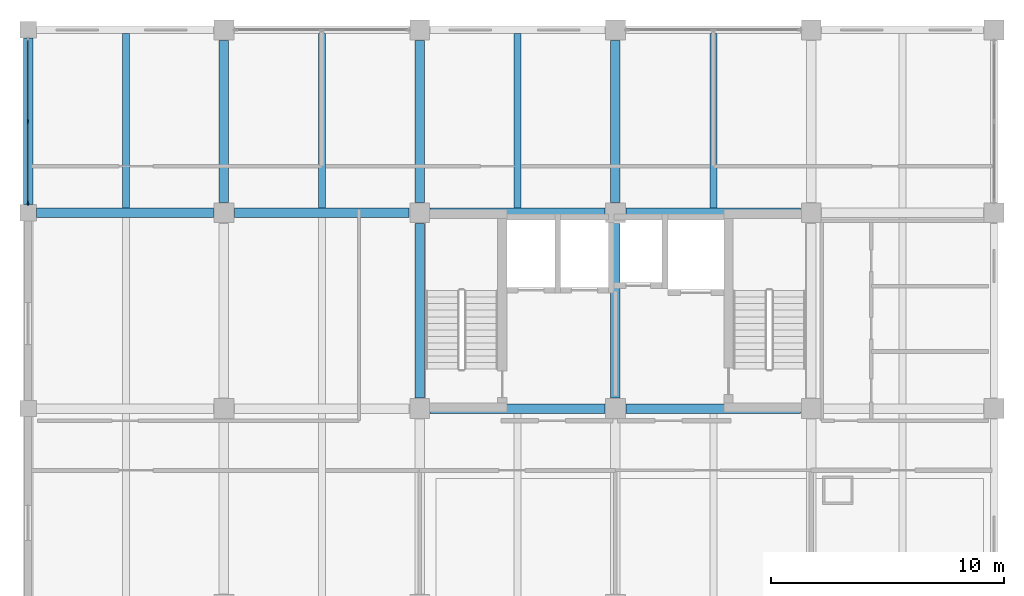
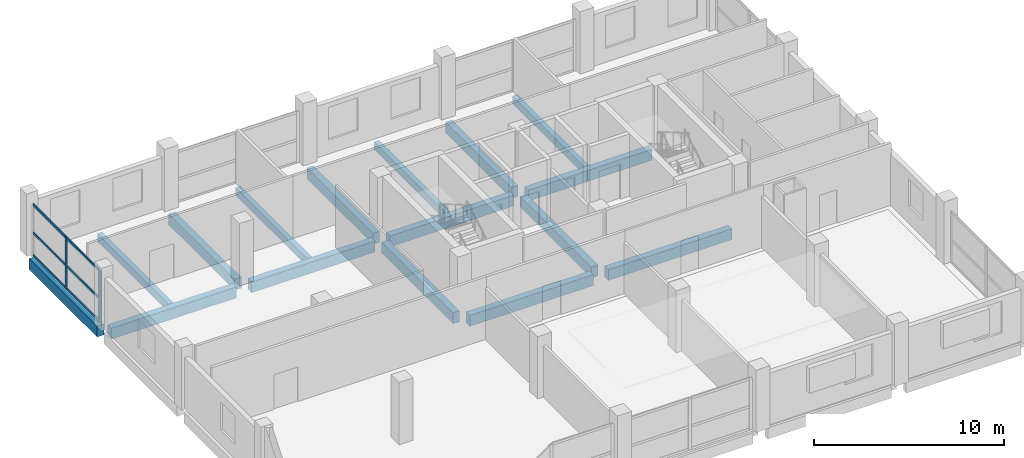
# One storey, part 3 of 11: 16 beams, 8 members, 1 element without a shape of its own.
"""IFC4 building model written with IfcOpenShell, lengths in metres."""

import ifcopenshell
import ifcopenshell.guid

model = None  # the IFC model being written
_history = None  # IfcOwnerHistory: only IFC2X3 demands one
_inside = {}  # id of a spatial element -> (the spatial element, [elements in it])
_under = {}  # id of a project, library or spatial element -> (it, [spatial elements below it])
_declared = {}  # id of a project -> (the project, [libraries it declares])
_typed = {}  # id of a type object -> (the type object, [elements of that type])
_made_of = {}  # id of a material, layer set ... -> (it, [elements and type objects made of it])


def new_model(schema):
    """Start an empty IFC model of exactly this schema.

    Asked for "IFC4X3", IfcOpenShell would pick the latest addendum, in which some entities
    have other attributes; the version numbers below select the first issue.
    IFC2X3 requires an IfcOwnerHistory on every rooted entity: one is made here for all.
    """
    global model, _history
    if schema == "IFC4X3":
        model = ifcopenshell.file(schema_version=(4, 3, 0, 0))
    else:
        model = ifcopenshell.file(schema=schema)
    _inside.clear()
    _under.clear()
    _declared.clear()
    _typed.clear()
    _made_of.clear()
    _history = None
    if model.schema == "IFC2X3":
        org = make("IfcOrganization", Name="unknown")
        user = make(
            "IfcPersonAndOrganization",
            ThePerson=make("IfcPerson", FamilyName="unknown"),
            TheOrganization=org,
        )
        app = make(
            "IfcApplication",
            ApplicationDeveloper=org,
            Version="unknown",
            ApplicationFullName="unknown",
            ApplicationIdentifier="unknown",
        )
        _history = make(
            "IfcOwnerHistory",
            OwningUser=user,
            OwningApplication=app,
            ChangeAction="ADDED",
            CreationDate=0,
        )
    return model


def make(cls, **values):
    """One entity of the class cls with the attributes given. An attribute that is None is left unset."""
    return model.create_entity(
        cls, **{name: value for name, value in values.items() if value is not None}
    )


def rooted(cls, **values):
    """An entity with a GlobalId (a new one), such as an element, a storey or a relation."""
    return make(cls, GlobalId=ifcopenshell.guid.new(), OwnerHistory=_history, **values)


def si_unit(unit_type, name, prefix=None):
    """IfcSIUnit, for example si_unit("LENGTHUNIT", "METRE", prefix="MILLI")."""
    return make("IfcSIUnit", UnitType=unit_type, Prefix=prefix, Name=name)


def assignment(units):
    """IfcUnitAssignment: the units of a project."""
    return None if units is None else make("IfcUnitAssignment", Units=units)


def point(xyz):
    """IfcCartesianPoint."""
    return None if xyz is None else make("IfcCartesianPoint", Coordinates=xyz)


def direction(xyz):
    """IfcDirection."""
    return None if xyz is None else make("IfcDirection", DirectionRatios=xyz)


def frame(location, z_axis=None, x_axis=None):
    """IfcAxis2Placement3D, a coordinate frame: its origin and axes. An axis left out is left unset."""
    return make(
        "IfcAxis2Placement3D",
        Location=point(location),
        Axis=direction(z_axis),
        RefDirection=direction(x_axis),
    )


def frame_2d(location, x_axis=None):
    """IfcAxis2Placement2D, a coordinate frame in the plane: its origin and x axis."""
    return make(
        "IfcAxis2Placement2D", Location=point(location), RefDirection=direction(x_axis)
    )


def origin():
    """The frame at (0, 0, 0) with its axes left unset."""
    return frame((0.0, 0.0, 0.0))


def origin_2d():
    """The frame at (0, 0) in the plane with its x axis left unset."""
    return frame_2d((0.0, 0.0))


def place(relative_to, where):
    """IfcLocalPlacement: puts the frame where relative to a parent placement (None: the world)."""
    return make(
        "IfcLocalPlacement", PlacementRelTo=relative_to, RelativePlacement=where
    )


def context(
    kind, dimensions, precision=None, world=None, true_north=None, identifier=None
):
    """IfcGeometricRepresentationContext, for example the 3D "Model" context."""
    return make(
        "IfcGeometricRepresentationContext",
        ContextIdentifier=identifier,
        ContextType=kind,
        CoordinateSpaceDimension=dimensions,
        Precision=precision,
        WorldCoordinateSystem=world,
        TrueNorth=true_north,
    )


def subcontext(parent, identifier, kind, view, scale=None):
    """IfcGeometricRepresentationSubContext, for example "Body" below "Model"."""
    return make(
        "IfcGeometricRepresentationSubContext",
        ContextIdentifier=identifier,
        ContextType=kind,
        ParentContext=parent,
        TargetScale=scale,
        TargetView=view,
    )


def project(units=None, contexts=None):
    """IfcProject with its units and contexts."""
    return rooted(
        "IfcProject",
        Name="project",
        RepresentationContexts=contexts,
        UnitsInContext=assignment(units),
    )


def spatial(cls, under=None, at=None, **own):
    """A site, building, storey or space (cls), placed at a placement, below another one or the project."""
    s = rooted(cls, ObjectPlacement=at, **own)
    if under is not None:
        _under.setdefault(under.id(), (under, []))[1].append(s)
    return s


def profile(cls, at=None, kind="AREA", **sizes):
    """A parametric profile (cls). Its sizes go by their IFC names, for example OverallWidth=200.0."""
    return make(cls, ProfileType=kind, Position=at, **sizes)


def rectangle(**sizes):
    """IfcRectangleProfileDef."""
    return profile("IfcRectangleProfileDef", **sizes)


def extrude(swept, where, along, depth):
    """IfcExtrudedAreaSolid: the profile swept, set in the frame where, extruded along a direction by depth."""
    return make(
        "IfcExtrudedAreaSolid",
        SweptArea=swept,
        Position=where,
        ExtrudedDirection=direction(along),
        Depth=depth,
    )


def shape(context_of_items, identifier, shape_type, items):
    """IfcShapeRepresentation: the items that make up one representation, for example the "Body"."""
    return make(
        "IfcShapeRepresentation",
        ContextOfItems=context_of_items,
        RepresentationIdentifier=identifier,
        RepresentationType=shape_type,
        Items=items,
    )


def material(Name=None, Category=None):
    """IfcMaterial."""
    return make("IfcMaterial", Name=Name, Category=Category)


def material_profile(
    of_material, cross_section, Name=None, Category=None, Priority=None
):
    """IfcMaterialProfile: a cross section and its material."""
    return make(
        "IfcMaterialProfile",
        Name=Name,
        Material=of_material,
        Profile=cross_section,
        Priority=Priority,
        Category=Category,
    )


def profile_set(profiles, Name=None, composite=None):
    """IfcMaterialProfileSet."""
    return make(
        "IfcMaterialProfileSet",
        Name=Name,
        MaterialProfiles=profiles,
        CompositeProfile=composite,
    )


def made_of(thing, what):
    """Note that an element or type object is made of a material, layer set ...; save() writes the relation."""
    if what is not None:
        _made_of.setdefault(what.id(), (what, []))[1].append(thing)
    return thing


def type_object(cls, material=None, **own):
    """A type object (cls), such as IfcWallType, which elements share."""
    return made_of(rooted(cls, **own), material)


def element(
    cls,
    number,
    at=None,
    inside=None,
    cuts=None,
    type_object=None,
    material=None,
    context=None,
    identifier="Body",
    shape_type=None,
    held_by="IfcProductDefinitionShape",
    body=None,
    shapes=None,
    **own,
):
    """One element of the class cls, such as IfcWall. Its Tag is "e" and its number.

    at: its placement. inside: the storey or other place that contains it. cuts: it is an
    opening in that element (IfcRelVoidsElement). A single representation is given by context,
    identifier, shape_type and body (its items); several are given by shapes. held_by: the class
    of the entity that holds the representations. save() writes the other relations.
    """
    e = rooted(cls, Tag="e%d" % number, ObjectPlacement=at, **own)
    if body is not None:
        shapes = [shape(context, identifier, shape_type, body)]
    if shapes is not None:
        e.Representation = make(held_by, Representations=shapes)
    if inside is not None:
        _inside.setdefault(inside.id(), (inside, []))[1].append(e)
    if cuts is not None:
        rooted(
            "IfcRelVoidsElement", RelatingBuildingElement=cuts, RelatedOpeningElement=e
        )
    if type_object is not None:
        _typed.setdefault(type_object.id(), (type_object, []))[1].append(e)
    return made_of(e, material)


def aggregate(whole, parts):
    """IfcRelAggregates: a whole, such as a stair, and the parts it consists of."""
    return rooted("IfcRelAggregates", RelatingObject=whole, RelatedObjects=parts)


def save(model, path):
    """Write the relations noted so far, then the file.

    IfcRelAggregates (storeys below a building ...), IfcRelContainedInSpatialStructure (elements
    in a storey), IfcRelDefinesByType, IfcRelAssociatesMaterial and IfcRelDeclares: one each for
    every whole, place, type object, material and project.
    """
    for whole, parts in _under.values():
        aggregate(whole, parts)
    for where, things in _inside.values():
        rooted(
            "IfcRelContainedInSpatialStructure",
            RelatedElements=things,
            RelatingStructure=where,
        )
    for kind, things in _typed.values():
        rooted("IfcRelDefinesByType", RelatedObjects=things, RelatingType=kind)
    for what, things in _made_of.values():
        rooted("IfcRelAssociatesMaterial", RelatedObjects=things, RelatingMaterial=what)
    for by, libraries in _declared.values():
        rooted("IfcRelDeclares", RelatingContext=by, RelatedDefinitions=libraries)
    model.write(path)


model = new_model("IFC4")

# Units and contexts
model_context = context("Model", 3, precision=1e-05, world=origin(), true_north=direction((0.0, 1.0)))
body_context = subcontext(model_context, "Body", "Model", "MODEL_VIEW")
ifc_project = project(units=[si_unit("LENGTHUNIT", "METRE"), si_unit("AREAUNIT", "SQUARE_METRE"), si_unit("VOLUMEUNIT", "CUBIC_METRE"), si_unit("PLANEANGLEUNIT", "RADIAN"), si_unit("MASSUNIT", "GRAM", prefix="KILO")], contexts=[model_context])

# Site, building, storey
site_placement = place(None, origin())
site = spatial("IfcSite", under=ifc_project, at=site_placement, CompositionType="ELEMENT")
building_placement = place(site_placement, origin())
building = spatial("IfcBuilding", under=site, at=building_placement, Name="Brinegate Botanical Conservatory", CompositionType="ELEMENT")
storey_placement = place(building_placement, frame((0.0, 0.0, 23.39990234375)))
storey = spatial("IfcBuildingStorey", under=building, at=storey_placement, Name="L06", CompositionType="ELEMENT", Elevation=23.39990234375)

# Beams
ifc_material_1 = material(Name="Concrete C40/50", Category="concrete")
ifc_material_profile_1 = material_profile(ifc_material_1, rectangle(XDim=0.39990234375, YDim=0.699951171875, at=origin_2d()), Name="RC BM 400x700")
ifc_profile_set_1 = profile_set([ifc_material_profile_1], Name="Concrete C40/50")
beam_type_1 = type_object("IfcBeamType", Name="Beam_BM-T2", PredefinedType="BEAM", material=ifc_profile_set_1)
for number, where, z_axis, x_axis, name in (
    (1, (139.25, 95.199951171875, -0.52978515625), (1.0, 0.0, 0.0), (0.0, 1.0, 0.0), "Beam BM-T2 L06 M:18-19"),
    (2, (147.64990234375, 95.199951171875, -0.52978515625), (1.0, 0.0, 0.0), (0.0, 1.0, 0.0), "Beam BM-T2 L06 M:19-20"),
):
    element("IfcBeam", number, at=place(storey_placement, frame(where, z_axis=z_axis, x_axis=x_axis)), inside=storey, type_object=beam_type_1, Name=name, PredefinedType="BEAM", context=body_context, shape_type="SweptSolid", body=[
        extrude(rectangle(XDim=0.39990234375, YDim=0.699951171875, at=origin_2d()), origin(), (0.0, 0.0, 1.0), 7.5),
    ])
beam_1_placement = place(storey_placement, frame((122.35009765625, 103.60009765625, -0.52978515625), z_axis=(1.0, 0.0, 0.0), x_axis=(0.0, 1.0, 0.0)))
element("IfcBeam", 3, at=beam_1_placement, inside=storey, type_object=beam_type_1, Name="Beam BM-T2 L06 N:16-17", PredefinedType="BEAM", context=body_context, shape_type="SweptSolid", body=[
    extrude(rectangle(XDim=0.39990234375, YDim=0.699951171875, at=origin_2d()), origin(), (0.0, 0.0, 1.0), 7.599853515625),
])
for number, where, z_axis, x_axis, name in (
    (4, (130.85009765625, 103.60009765625, -0.52978515625), (1.0, 0.0, 0.0), (0.0, 1.0, 0.0), "Beam BM-T2 L06 N:17-18"),
    (5, (139.25, 103.60009765625, -0.52978515625), (1.0, 0.0, 0.0), (0.0, 1.0, 0.0), "Beam BM-T2 L06 N:18-19"),
    (6, (147.64990234375, 103.60009765625, -0.52978515625), (1.0, 0.0, 0.0), (0.0, 1.0, 0.0), "Beam BM-T2 L06 N:19-20"),
):
    element("IfcBeam", number, at=place(storey_placement, frame(where, z_axis=z_axis, x_axis=x_axis)), inside=storey, type_object=beam_type_1, Name=name, PredefinedType="BEAM", context=body_context, shape_type="SweptSolid", body=[
        extrude(rectangle(XDim=0.39990234375, YDim=0.699951171875, at=origin_2d()), origin(), (0.0, 0.0, 1.0), 7.5),
    ])
beam_2_placement = place(storey_placement, frame((122.0, 103.949951171875, -0.52978515625), z_axis=(0.0, 1.0, 0.0), x_axis=(-1.0, 0.0, 0.0)))
element("IfcBeam", 7, at=beam_2_placement, inside=storey, type_object=beam_type_1, Name="Beam BM-T2 L06 16:N-P", PredefinedType="BEAM", context=body_context, shape_type="SweptSolid", body=[
    extrude(rectangle(XDim=0.39990234375, YDim=0.699951171875, at=origin_2d()), origin(), (0.0, 0.0, 1.0), 7.150146484375),
])
beam_3_placement = place(storey_placement, frame((130.39990234375, 104.050048828125, -0.52978515625), z_axis=(0.0, 1.0, 0.0), x_axis=(-1.0, 0.0, 0.0)))
element("IfcBeam", 8, at=beam_3_placement, inside=storey, type_object=beam_type_1, Name="Beam BM-T2 L06 17:N-P", PredefinedType="BEAM", context=body_context, shape_type="SweptSolid", body=[
    extrude(rectangle(XDim=0.39990234375, YDim=0.699951171875, at=origin_2d()), origin(), (0.0, 0.0, 1.0), 6.949951171875),
])
beam_4_placement = place(storey_placement, frame((138.800048828125, 95.64990234375, -0.52978515625), z_axis=(0.0, 1.0, 0.0), x_axis=(-1.0, 0.0, 0.0)))
element("IfcBeam", 9, at=beam_4_placement, inside=storey, type_object=beam_type_1, Name="Beam BM-T2 L06 18:M-N", PredefinedType="BEAM", context=body_context, shape_type="SweptSolid", body=[
    extrude(rectangle(XDim=0.39990234375, YDim=0.699951171875, at=origin_2d()), origin(), (0.0, 0.0, 1.0), 7.5),
])
beam_5_placement = place(storey_placement, frame((138.800048828125, 104.050048828125, -0.52978515625), z_axis=(0.0, 1.0, 0.0), x_axis=(-1.0, 0.0, 0.0)))
element("IfcBeam", 10, at=beam_5_placement, inside=storey, type_object=beam_type_1, Name="Beam BM-T2 L06 18:N-P", PredefinedType="BEAM", context=body_context, shape_type="SweptSolid", body=[
    extrude(rectangle(XDim=0.39990234375, YDim=0.699951171875, at=origin_2d()), origin(), (0.0, 0.0, 1.0), 6.949951171875),
])
beam_6_placement = place(storey_placement, frame((147.199951171875, 95.64990234375, -0.52978515625), z_axis=(0.0, 1.0, 0.0), x_axis=(-1.0, 0.0, 0.0)))
element("IfcBeam", 11, at=beam_6_placement, inside=storey, type_object=beam_type_1, Name="Beam BM-T2 L06 19:M-N", PredefinedType="BEAM", context=body_context, shape_type="SweptSolid", body=[
    extrude(rectangle(XDim=0.39990234375, YDim=0.699951171875, at=origin_2d()), origin(), (0.0, 0.0, 1.0), 7.5),
])
beam_7_placement = place(storey_placement, frame((147.199951171875, 104.050048828125, -0.52978515625), z_axis=(0.0, 1.0, 0.0), x_axis=(-1.0, 0.0, 0.0)))
element("IfcBeam", 12, at=beam_7_placement, inside=storey, type_object=beam_type_1, Name="Beam BM-T2 L06 19:N-P", PredefinedType="BEAM", context=body_context, shape_type="SweptSolid", body=[
    extrude(rectangle(XDim=0.39990234375, YDim=0.699951171875, at=origin_2d()), origin(), (0.0, 0.0, 1.0), 6.949951171875),
])
ifc_material_profile_2 = material_profile(ifc_material_1, rectangle(XDim=0.300048828125, YDim=0.5, at=origin_2d()), Name="RC JST 300x500")
ifc_profile_set_2 = profile_set([ifc_material_profile_2], Name="Concrete C40/50")
beam_type_2 = type_object("IfcBeamType", Name="Beam_JS-C2", PredefinedType="JOIST", material=ifc_profile_set_2)
for number, where, z_axis, x_axis, name in (
    (13, (126.199951171875, 103.800048828125, -0.429931640625), (0.0, 1.0, 0.0), (-1.0, 0.0, 0.0), "Floor joist JS-C2 L06 bay 16.13"),
    (14, (134.60009765625, 103.800048828125, -0.429931640625), (0.0, 1.0, 0.0), (-1.0, 0.0, 0.0), "Floor joist JS-C2 L06 bay 17.13"),
    (15, (143.0, 103.800048828125, -0.429931640625), (0.0, 1.0, 0.0), (-1.0, 0.0, 0.0), "Floor joist JS-C2 L06 bay 18.13"),
    (16, (151.39990234375, 103.800048828125, -0.429931640625), (0.0, 1.0, 0.0), (-1.0, 0.0, 0.0), "Floor joist JS-C2 L06 bay 19.13"),
):
    element("IfcBeam", number, at=place(storey_placement, frame(where, z_axis=z_axis, x_axis=x_axis)), inside=storey, type_object=beam_type_2, Name=name, PredefinedType="JOIST", context=body_context, shape_type="SweptSolid", body=[
        extrude(rectangle(XDim=0.300048828125, YDim=0.5, at=origin_2d()), origin(), (0.0, 0.0, 1.0), 7.5),
    ])

# Curtain wall, members
ifc_material_2 = material(Name="Thermally broken anodised aluminium AW-6063-T6", Category="aluminium")
curtain_wall_type = type_object("IfcCurtainWallType", Name="CW_CW-TW1", PredefinedType="USERDEFINED", material=ifc_material_2)
curtain_wall_placement = place(storey_placement, origin())
curtain_wall = element("IfcCurtainWall", 17, at=curtain_wall_placement, inside=storey, type_object=curtain_wall_type, Name="Tower north-west curtain wall L06", ObjectType="FACTORY CURTAIN WALL", PredefinedType="USERDEFINED")
ifc_material_profile_3 = material_profile(ifc_material_2, rectangle(XDim=0.070068359375, YDim=0.199951171875, at=origin_2d()), Name="ALUM MULLION 70x200")
ifc_profile_set_3 = profile_set([ifc_material_profile_3], Name="Thermally broken anodised aluminium AW-6063-T6")
member_type_1 = type_object("IfcMemberType", Name="Member_ML-03", PredefinedType="MULLION", material=ifc_profile_set_3)
member_1_placement = place(storey_placement, frame((122.0, 104.02490234375, 0.0), z_axis=(0.0, 0.0, 1.0), x_axis=(-1.0, 0.0, 0.0)))
member_1 = element("IfcMember", 18, at=member_1_placement, type_object=member_type_1, Name="CW-TW1 mullion 1", PredefinedType="MULLION", context=body_context, shape_type="SweptSolid", body=[
    extrude(rectangle(XDim=0.070068359375, YDim=0.199951171875, at=origin_2d()), origin(), (0.0, 0.0, 1.0), 3.300048828125),
])
member_2_placement = place(storey_placement, frame((122.0, 107.52490234375, 0.0), z_axis=(0.0, 0.0, 1.0), x_axis=(-1.0, 0.0, 0.0)))
member_2 = element("IfcMember", 19, at=member_2_placement, type_object=member_type_1, Name="CW-TW1 mullion 2", PredefinedType="MULLION", context=body_context, shape_type="SweptSolid", body=[
    extrude(rectangle(XDim=0.070068359375, YDim=0.199951171875, at=origin_2d()), origin(), (0.0, 0.0, 1.0), 3.300048828125),
])
ifc_material_profile_4 = material_profile(ifc_material_2, rectangle(XDim=0.070068359375, YDim=0.14990234375, at=origin_2d()), Name="ALUM TRANSOM 70x150")
ifc_profile_set_4 = profile_set([ifc_material_profile_4], Name="Thermally broken anodised aluminium AW-6063-T6")
member_type_2 = type_object("IfcMemberType", Name="Member_TR-03", PredefinedType="USERDEFINED", material=ifc_profile_set_4)
member_3_placement = place(storey_placement, frame((122.0, 104.06005859375, 0.03515625), z_axis=(0.0, 1.0, 0.0), x_axis=(-1.0, 0.0, 0.0)))
member_3 = element("IfcMember", 20, at=member_3_placement, type_object=member_type_2, Name="CW-TW1 transom 1.1", ObjectType="TRANSOM", PredefinedType="USERDEFINED", context=body_context, shape_type="SweptSolid", body=[
    extrude(rectangle(XDim=0.070068359375, YDim=0.14990234375, at=origin_2d()), origin(), (0.0, 0.0, 1.0), 3.429931640625),
])
member_4_placement = place(storey_placement, frame((122.0, 104.06005859375, 1.485107421875), z_axis=(0.0, 1.0, 0.0), x_axis=(-1.0, 0.0, 0.0)))
member_4 = element("IfcMember", 21, at=member_4_placement, type_object=member_type_2, Name="CW-TW1 transom 1.2", ObjectType="TRANSOM", PredefinedType="USERDEFINED", context=body_context, shape_type="SweptSolid", body=[
    extrude(rectangle(XDim=0.070068359375, YDim=0.14990234375, at=origin_2d()), origin(), (0.0, 0.0, 1.0), 3.429931640625),
])
member_5_placement = place(storey_placement, frame((122.0, 104.06005859375, 3.26513671875), z_axis=(0.0, 1.0, 0.0), x_axis=(-1.0, 0.0, 0.0)))
member_5 = element("IfcMember", 22, at=member_5_placement, type_object=member_type_2, Name="CW-TW1 transom 1.3", ObjectType="TRANSOM", PredefinedType="USERDEFINED", context=body_context, shape_type="SweptSolid", body=[
    extrude(rectangle(XDim=0.070068359375, YDim=0.14990234375, at=origin_2d()), origin(), (0.0, 0.0, 1.0), 3.429931640625),
])
member_6_placement = place(storey_placement, frame((122.0, 107.56005859375, 0.03515625), z_axis=(0.0, 1.0, 0.0), x_axis=(-1.0, 0.0, 0.0)))
member_6 = element("IfcMember", 23, at=member_6_placement, type_object=member_type_2, Name="CW-TW1 transom 2.1", ObjectType="TRANSOM", PredefinedType="USERDEFINED", context=body_context, shape_type="SweptSolid", body=[
    extrude(rectangle(XDim=0.070068359375, YDim=0.14990234375, at=origin_2d()), origin(), (0.0, 0.0, 1.0), 3.429931640625),
])
member_7_placement = place(storey_placement, frame((122.0, 107.56005859375, 1.485107421875), z_axis=(0.0, 1.0, 0.0), x_axis=(-1.0, 0.0, 0.0)))
member_7 = element("IfcMember", 24, at=member_7_placement, type_object=member_type_2, Name="CW-TW1 transom 2.2", ObjectType="TRANSOM", PredefinedType="USERDEFINED", context=body_context, shape_type="SweptSolid", body=[
    extrude(rectangle(XDim=0.070068359375, YDim=0.14990234375, at=origin_2d()), origin(), (0.0, 0.0, 1.0), 3.429931640625),
])
member_8_placement = place(storey_placement, frame((122.0, 107.56005859375, 3.26513671875), z_axis=(0.0, 1.0, 0.0), x_axis=(-1.0, 0.0, 0.0)))
member_8 = element("IfcMember", 25, at=member_8_placement, type_object=member_type_2, Name="CW-TW1 transom 2.3", ObjectType="TRANSOM", PredefinedType="USERDEFINED", context=body_context, shape_type="SweptSolid", body=[
    extrude(rectangle(XDim=0.070068359375, YDim=0.14990234375, at=origin_2d()), origin(), (0.0, 0.0, 1.0), 3.429931640625),
])
aggregate(curtain_wall, [member_1, member_2, member_3, member_4, member_5, member_6, member_7, member_8])

save(model, "model.ifc")
